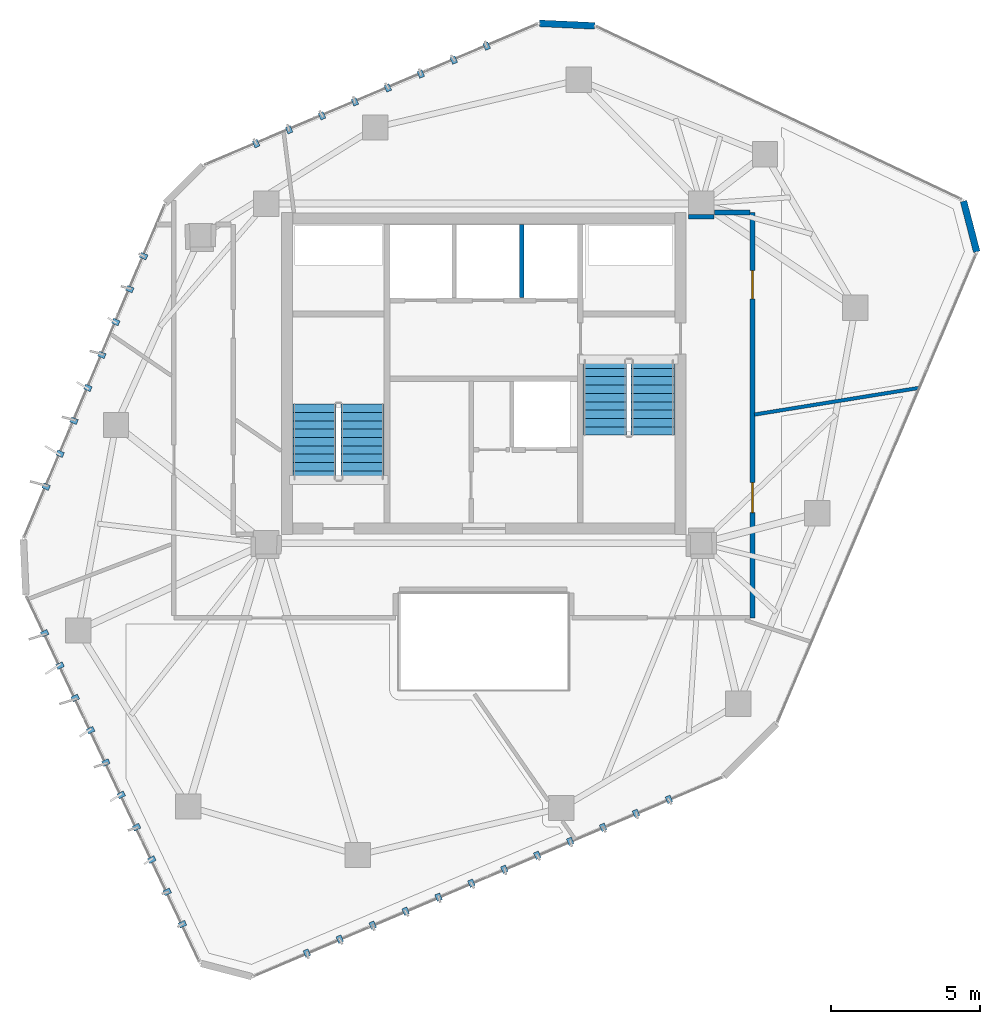
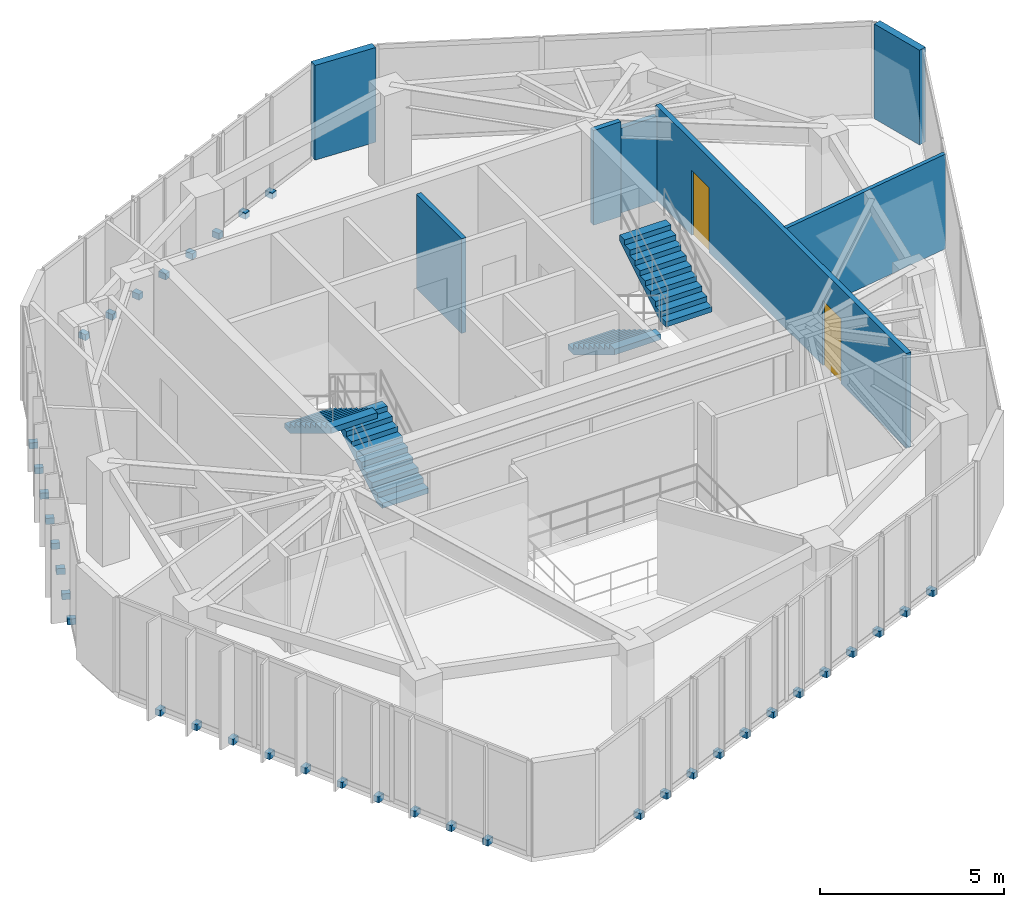
# One storey, part 18 of 20: 38 discrete accessories, 7 walls, 4 stair flights, 2 doors, 2 openings, 2 elements without a shape of their own.
"""IFC4 building model written with IfcOpenShell, lengths in metres."""

from ifc_helpers import new_model, si_unit, direction, frame, frame_2d, origin, origin_2d, place, context, subcontext, project, spatial, polyline, rectangle, outline, extrude, source, transform, mapped, material, layer, layer_set, type_object, type_shapes, element, fill, aggregate, save


model = new_model("IFC4")

# Units and contexts
model_context = context("Model", 3, precision=1e-05, world=origin(), true_north=direction((0.0, 1.0)))
body_context = subcontext(model_context, "Body", "Model", "MODEL_VIEW")
ifc_project = project(units=[si_unit("LENGTHUNIT", "METRE"), si_unit("AREAUNIT", "SQUARE_METRE"), si_unit("VOLUMEUNIT", "CUBIC_METRE"), si_unit("PLANEANGLEUNIT", "RADIAN"), si_unit("MASSUNIT", "GRAM", prefix="KILO")], contexts=[model_context])

# Site, building, storey
site_placement = place(None, origin())
site = spatial("IfcSite", under=ifc_project, at=site_placement, CompositionType="ELEMENT")
building_placement = place(site_placement, origin())
building = spatial("IfcBuilding", under=site, at=building_placement, Name="Talar Marvaseh", CompositionType="ELEMENT")
storey_placement = place(building_placement, frame((0.0, 0.0, 274.800048828125)))
storey = spatial("IfcBuildingStorey", under=building, at=storey_placement, Name="L73", CompositionType="ELEMENT", Elevation=274.800048828125)

# Walls
ifc_material_1 = material(Name="Precast concrete C45/55", Category="concrete")
ifc_layer_1 = layer(ifc_material_1, 0.22509765625)
ifc_layer_set_1 = layer_set([ifc_layer_1], Name="Precast concrete C45/55")
wall_type_1 = type_object("IfcWallType", Name="Chamfered Hexagonal Corner Pier Wall Z4 225", PredefinedType="SOLIDWALL", material=ifc_layer_set_1)
wall_1_placement = place(storey_placement, frame((27.8701171875, 42.948486328125, 0.0), z_axis=(0.0, 0.0, 1.0), x_axis=(0.998952482167, -0.045759571383, 0.0)))
element("IfcWall", 1, at=wall_1_placement, inside=storey, type_object=wall_type_1, Name="L73 Chamfered Corner Limestone Pier 4", PredefinedType="SOLIDWALL", context=body_context, shape_type="SweptSolid", body=[
    extrude(rectangle(XDim=1.856689453125, YDim=0.22509765625, at=frame_2d((0.92822265625, 0.0))), origin(), (0.0, 0.0, 1.0), 3.139892578125),
])
wall_2_placement = place(storey_placement, frame((42.102294921875, 36.98193359375, 0.0), z_axis=(0.0, 0.0, 1.0), x_axis=(0.251641656651, -0.967820477484, 0.0)))
element("IfcWall", 2, at=wall_2_placement, inside=storey, type_object=wall_type_1, Name="L73 Chamfered Corner Limestone Pier 5", PredefinedType="SOLIDWALL", context=body_context, shape_type="SweptSolid", body=[
    extrude(rectangle(XDim=1.758056640625, YDim=0.22509765625, at=frame_2d((0.87890625, 0.0))), origin(), (0.0, 0.0, 1.0), 3.139892578125),
])

# Wall, openings, doors
ifc_material_2 = material(Name="Gypsum Board Partition Assembly")
ifc_layer_2 = layer(ifc_material_2, 0.155029296875)
ifc_layer_set_2 = layer_set([ifc_layer_2], Name="Gypsum Board Partition Assembly")
wall_type_2 = type_object("IfcWallType", Name="Corridor Fire-Rated Acoustic Partition 155", PredefinedType="PARTITIONING", material=ifc_layer_set_2)
wall_3_placement = place(storey_placement, frame((35.02001953125, 36.60009765625, 0.0), z_axis=(0.0, 0.0, 1.0), x_axis=(0.0, -1.0, 0.0)))
wall_3 = element("IfcWall", 3, at=wall_3_placement, inside=storey, type_object=wall_type_2, Name="L73 Interior Partition Wall", PredefinedType="PARTITIONING", context=body_context, shape_type="SweptSolid", body=[
    extrude(rectangle(XDim=13.60009765625, YDim=0.155029296875, at=frame_2d((6.800048828125, 0.0))), origin(), (0.0, 0.0, 1.0), 3.139892578125),
])
opening_1_placement = place(wall_3_placement, frame((9.0673828125, 0.0, 0.0)))
opening_1 = element("IfcOpeningElement", 4, at=opening_1_placement, cuts=wall_3, Name="Opening DR-RM100", PredefinedType="OPENING", context=body_context, shape_type="SweptSolid", body=[
    extrude(rectangle(XDim=1.0, YDim=2.14990234375, at=frame_2d((0.5, 1.074951171875))), frame((0.0, 0.08740234375, 0.0), z_axis=(0.0, -1.0, 0.0), x_axis=(1.0, 0.0, 0.0)), (0.0, 0.0, 1.0), 0.175048828125),
])
opening_2_placement = place(wall_3_placement, frame((1.9501953125, 0.0, 0.0)))
opening_2 = element("IfcOpeningElement", 5, at=opening_2_placement, cuts=wall_3, Name="Opening DR-WC095", PredefinedType="OPENING", context=body_context, shape_type="SweptSolid", body=[
    extrude(rectangle(XDim=0.949951171875, YDim=2.14990234375, at=frame_2d((0.47509765625, 1.074951171875))), frame((0.0, 0.08740234375, 0.0), z_axis=(0.0, -1.0, 0.0), x_axis=(1.0, 0.0, 0.0)), (0.0, 0.0, 1.0), 0.175048828125),
])
ifc_material_3 = material(Name="Acoustic Engineered Oak Timber", Category="wood")
door_type_1 = type_object("IfcDoorType", Name="Washroom and Service Room Door 950x2150", OperationType="NOTDEFINED", PredefinedType="DOOR", material=ifc_material_3)
shared_shape_1 = source(origin(), body_context, "Body", "SweptSolid", [
    extrude(rectangle(XDim=0.949951171875, YDim=2.14990234375, at=frame_2d((0.47509765625, 1.074951171875))), frame((0.0, 0.02490234375, 0.0), z_axis=(0.0, -1.0, 0.0), x_axis=(1.0, 0.0, 0.0)), (0.0, 0.0, 1.0), 0.050048828125),
])
type_shapes(door_type_1, [shared_shape_1])
door_1_placement = place(opening_2_placement, origin())
door_1 = element("IfcDoor", 6, at=door_1_placement, inside=storey, type_object=door_type_1, Name="L73 Scholars' Servery Pantry Door", OperationType="SINGLE_SWING_LEFT", OverallHeight=2.14990234375, OverallWidth=0.949951171875, PredefinedType="DOOR", context=body_context, shape_type="MappedRepresentation", body=[
    mapped(shared_shape_1, transform((0.0, 0.0, 0.0), x_axis=(1.0, 0.0, 0.0), y_axis=(0.0, 1.0, 0.0), z_axis=(0.0, 0.0, 1.0), scale=1.0)),
])
fill(opening_2, door_1)
door_type_2 = type_object("IfcDoorType", Name="Corridor Fire-Rated Gallery Door 1000x2150", OperationType="NOTDEFINED", PredefinedType="DOOR", material=ifc_material_3)
shared_shape_2 = source(origin(), body_context, "Body", "SweptSolid", [
    extrude(rectangle(XDim=1.0, YDim=2.14990234375, at=frame_2d((0.5, 1.074951171875))), frame((0.0, 0.02490234375, 0.0), z_axis=(0.0, -1.0, 0.0), x_axis=(1.0, 0.0, 0.0)), (0.0, 0.0, 1.0), 0.050048828125),
])
type_shapes(door_type_2, [shared_shape_2])
door_2_placement = place(opening_1_placement, origin())
door_2 = element("IfcDoor", 7, at=door_2_placement, inside=storey, type_object=door_type_2, Name="L73 Artisan Craft Showroom Door", OperationType="SINGLE_SWING_RIGHT", OverallHeight=2.14990234375, OverallWidth=1.0, PredefinedType="DOOR", context=body_context, shape_type="MappedRepresentation", body=[
    mapped(shared_shape_2, transform((0.0, 0.0, 0.0), x_axis=(1.0, 0.0, 0.0), y_axis=(0.0, 1.0, 0.0), z_axis=(0.0, 0.0, 1.0), scale=1.0)),
])
fill(opening_1, door_2)

# Walls
wall_4_placement = place(storey_placement, frame((32.8701171875, 36.464599609375, 0.0), z_axis=(0.0, 0.0, 1.0), x_axis=(0.999986873463, -0.005123758532, 0.0)))
element("IfcWall", 8, at=wall_4_placement, inside=storey, type_object=wall_type_2, Name="L73 Interior Partition Wall", PredefinedType="PARTITIONING", context=body_context, shape_type="SweptSolid", body=[
    extrude(rectangle(XDim=0.857666015625, YDim=0.155029296875, at=frame_2d((0.4287109375, 0.0))), origin(), (0.0, 0.0, 1.0), 3.139892578125),
])
wall_5_placement = place(storey_placement, frame((33.739990234375, 36.60009765625, 0.0), z_axis=(0.0, 0.0, 1.0), x_axis=(1.0, 0.0, 0.0)))
element("IfcWall", 9, at=wall_5_placement, inside=storey, type_object=wall_type_2, Name="L73 Interior Partition Wall", PredefinedType="PARTITIONING", context=body_context, shape_type="SweptSolid", body=[
    extrude(rectangle(XDim=1.196533203125, YDim=0.155029296875, at=frame_2d((0.59814453125, 0.0))), origin(), (0.0, 0.0, 1.0), 2.802001953125),
])
ifc_layer_3 = layer(ifc_material_2, 0.1201171875)
ifc_layer_set_3 = layer_set([ifc_layer_3], Name="Gypsum Board Partition Assembly")
wall_type_3 = type_object("IfcWallType", Name="Demountable Studio Room Partition 120", PredefinedType="PARTITIONING", material=ifc_layer_set_3)
wall_6_placement = place(storey_placement, frame((35.084228515625, 29.8203125, 0.0), z_axis=(0.0, 0.0, 1.0), x_axis=(0.987124890634, 0.159951399776, 0.0)))
element("IfcWall", 10, at=wall_6_placement, inside=storey, type_object=wall_type_3, Name="L73 Interior Partition Wall", PredefinedType="PARTITIONING", context=body_context, shape_type="SweptSolid", body=[
    extrude(rectangle(XDim=5.583251953125, YDim=0.1201171875, at=frame_2d((2.79150390625, 0.0))), origin(), (0.0, 0.0, 1.0), 3.139892578125),
])
ifc_layer_4 = layer(ifc_material_1, 0.14501953125)
ifc_layer_set_4 = layer_set([ifc_layer_4], Name="Precast concrete C45/55")
wall_type_4 = type_object("IfcWallType", Name="Fire-Rated Lift Divider Wall 145", PredefinedType="SOLIDWALL", material=ifc_layer_set_4)
wall_7_placement = place(storey_placement, frame((27.280029296875, 33.743408203125, 0.0), z_axis=(0.0, 0.0, 1.0), x_axis=(0.0, 1.0, 0.0)))
element("IfcWall", 11, at=wall_7_placement, inside=storey, type_object=wall_type_4, Name="L73 FFL-2/SVL-1 Divider", PredefinedType="SOLIDWALL", context=body_context, shape_type="SweptSolid", body=[
    extrude(rectangle(XDim=2.45654296875, YDim=0.14501953125, at=frame_2d((1.228271484375, 0.0))), origin(), (0.0, 0.0, 1.0), 3.139892578125),
])

# Stair, stair flights
ifc_material_4 = material(Name="Concrete C40/50", Category="concrete")
stair_type = type_object("IfcStairType", Name="Reinforced Concrete High-Rise Exit Stair Type C", PredefinedType="HALF_TURN_STAIR", material=ifc_material_4)
stair_1_placement = place(storey_placement, origin())
stair_1 = element("IfcStair", 12, at=stair_1_placement, inside=storey, type_object=stair_type, Name="L73 Tower West Core Exit Stair", PredefinedType="HALF_TURN_STAIR")
ifc_layer_5 = layer(ifc_material_4, 0.159912109375)
ifc_layer_set_5 = layer_set([ifc_layer_5], Name="Concrete C40/50")
stair_flight_type = type_object("IfcStairFlightType", Name="Reinforced Concrete Straight Stair Flight 160", PredefinedType="STRAIGHT", material=ifc_layer_set_5)
stair_flight_1_placement = place(storey_placement, frame((21.93505859375, 27.64990234375, 0.0), z_axis=(0.0, 0.0, 1.0), x_axis=(0.0, 1.0, 0.0)))
stair_flight_1 = element("IfcStairFlight", 13, at=stair_flight_1_placement, type_object=stair_flight_type, Name="ST-1 flight 1", NumberOfRisers=10, NumberOfTreads=9, PredefinedType="STRAIGHT", RiserHeight=0.17, TreadLength=0.28, context=body_context, shape_type="SweptSolid", body=[
    extrude(outline(polyline([(0.0, 0.0), (0.0, 0.169921875), (0.280029296875, 0.169921875), (0.280029296875, 0.340087890625), (0.56005859375, 0.340087890625), (0.56005859375, 0.510009765625), (0.840087890625, 0.510009765625), (0.840087890625, 0.679931640625), (1.1201171875, 0.679931640625), (1.1201171875, 0.85009765625), (1.39990234375, 0.85009765625), (1.39990234375, 1.02001953125), (1.679931640625, 1.02001953125), (1.679931640625, 1.18994140625), (1.9599609375, 1.18994140625), (1.9599609375, 1.360107421875), (2.239990234375, 1.360107421875), (2.239990234375, 1.530029296875), (2.52001953125, 1.530029296875), (2.52001953125, 1.699951171875), (2.52001953125, 1.343017578125), (0.30810546875, 0.0), (0.0, 0.0)])), frame((0.0, 0.72509765625, 0.0), z_axis=(0.0, -1.0, 0.0), x_axis=(1.0, 0.0, 0.0)), (0.0, 0.0, 1.0), 1.449951171875),
])
stair_flight_2_placement = place(storey_placement, frame((20.324951171875, 30.169921875, 1.699951171875), z_axis=(0.0, 0.0, 1.0), x_axis=(0.0, -1.0, 0.0)))
stair_flight_2 = element("IfcStairFlight", 14, at=stair_flight_2_placement, type_object=stair_flight_type, Name="ST-1 flight 2", NumberOfRisers=10, NumberOfTreads=9, PredefinedType="STRAIGHT", RiserHeight=0.17, TreadLength=0.28, context=body_context, shape_type="SweptSolid", body=[
    extrude(outline(polyline([(0.0, 0.0), (0.0, 0.169921875), (0.280029296875, 0.169921875), (0.280029296875, 0.340087890625), (0.56005859375, 0.340087890625), (0.56005859375, 0.510009765625), (0.840087890625, 0.510009765625), (0.840087890625, 0.679931640625), (1.1201171875, 0.679931640625), (1.1201171875, 0.85009765625), (1.39990234375, 0.85009765625), (1.39990234375, 1.02001953125), (1.679931640625, 1.02001953125), (1.679931640625, 1.18994140625), (1.9599609375, 1.18994140625), (1.9599609375, 1.360107421875), (2.239990234375, 1.360107421875), (2.239990234375, 1.530029296875), (2.52001953125, 1.530029296875), (2.52001953125, 1.699951171875), (2.52001953125, 1.343017578125), (0.30810546875, 0.0), (0.0, 0.0)])), frame((0.0, 0.72509765625, 0.0), z_axis=(0.0, -1.0, 0.0), x_axis=(1.0, 0.0, 0.0)), (0.0, 0.0, 1.0), 1.449951171875),
])
aggregate(stair_1, [stair_flight_1, stair_flight_2])

stair_2_placement = place(storey_placement, origin())
stair_2 = element("IfcStair", 15, at=stair_2_placement, inside=storey, type_object=stair_type, Name="L73 Tower East Core Exit Stair", PredefinedType="HALF_TURN_STAIR")
stair_flight_3_placement = place(storey_placement, frame((30.06494140625, 31.64990234375, 0.0), z_axis=(0.0, 0.0, 1.0), x_axis=(0.0, -1.0, 0.0)))
stair_flight_3 = element("IfcStairFlight", 16, at=stair_flight_3_placement, type_object=stair_flight_type, Name="ST-2 flight 1", NumberOfRisers=10, NumberOfTreads=9, PredefinedType="STRAIGHT", RiserHeight=0.17, TreadLength=0.28, context=body_context, shape_type="SweptSolid", body=[
    extrude(outline(polyline([(0.0, 0.0), (0.0, 0.169921875), (0.280029296875, 0.169921875), (0.280029296875, 0.340087890625), (0.56005859375, 0.340087890625), (0.56005859375, 0.510009765625), (0.840087890625, 0.510009765625), (0.840087890625, 0.679931640625), (1.1201171875, 0.679931640625), (1.1201171875, 0.85009765625), (1.39990234375, 0.85009765625), (1.39990234375, 1.02001953125), (1.679931640625, 1.02001953125), (1.679931640625, 1.18994140625), (1.9599609375, 1.18994140625), (1.9599609375, 1.360107421875), (2.239990234375, 1.360107421875), (2.239990234375, 1.530029296875), (2.52001953125, 1.530029296875), (2.52001953125, 1.699951171875), (2.52001953125, 1.343017578125), (0.30810546875, 0.0), (0.0, 0.0)])), frame((0.0, 0.72509765625, 0.0), z_axis=(0.0, -1.0, 0.0), x_axis=(1.0, 0.0, 0.0)), (0.0, 0.0, 1.0), 1.449951171875),
])
stair_flight_4_placement = place(storey_placement, frame((31.675048828125, 29.1298828125, 1.699951171875), z_axis=(0.0, 0.0, 1.0), x_axis=(0.0, 1.0, 0.0)))
stair_flight_4 = element("IfcStairFlight", 17, at=stair_flight_4_placement, type_object=stair_flight_type, Name="ST-2 flight 2", NumberOfRisers=10, NumberOfTreads=9, PredefinedType="STRAIGHT", RiserHeight=0.17, TreadLength=0.28, context=body_context, shape_type="SweptSolid", body=[
    extrude(outline(polyline([(0.0, 0.0), (0.0, 0.169921875), (0.280029296875, 0.169921875), (0.280029296875, 0.340087890625), (0.56005859375, 0.340087890625), (0.56005859375, 0.510009765625), (0.840087890625, 0.510009765625), (0.840087890625, 0.679931640625), (1.1201171875, 0.679931640625), (1.1201171875, 0.85009765625), (1.39990234375, 0.85009765625), (1.39990234375, 1.02001953125), (1.679931640625, 1.02001953125), (1.679931640625, 1.18994140625), (1.9599609375, 1.18994140625), (1.9599609375, 1.360107421875), (2.239990234375, 1.360107421875), (2.239990234375, 1.530029296875), (2.52001953125, 1.530029296875), (2.52001953125, 1.699951171875), (2.52001953125, 1.343017578125), (0.30810546875, 0.0), (0.0, 0.0)])), frame((0.0, 0.72509765625, 0.0), z_axis=(0.0, -1.0, 0.0), x_axis=(1.0, 0.0, 0.0)), (0.0, 0.0, 1.0), 1.449951171875),
])
aggregate(stair_2, [stair_flight_3, stair_flight_4])

# Discrete accessories
ifc_material_5 = material(Name="Stainless Steel Grade 316", Category="steel")
discrete_accessory_type = type_object("IfcDiscreteAccessoryType", Name="Stainless Slab-Edge Fin Mounting Bracket", PredefinedType="BRACKET", material=ifc_material_5)
shared_shape_3 = source(origin(), body_context, "Body", "SweptSolid", [
    extrude(rectangle(XDim=0.239990234375, YDim=0.179931640625, at=origin_2d()), origin(), (0.0, 0.0, 1.0), 0.199951171875),
])
type_shapes(discrete_accessory_type, [shared_shape_3])
for number, where, z_axis, x_axis, name in (
    (18, (15.890380859375, 12.719482421875, -0.18017578125), (0.0, 0.0, 1.0), (-0.903709265369, -0.428146661421, 0.0), "L73 Vertical Fin Slab-Edge Bracket"),
    (19, (15.376708984375, 13.803955078125, -0.18017578125), (0.0, 0.0, 1.0), (-0.903709265369, -0.428146661421, 0.0), "L73 Vertical Fin Slab-Edge Bracket"),
    (20, (14.86279296875, 14.888427734375, -0.18017578125), (0.0, 0.0, 1.0), (-0.903709265369, -0.428146661421, 0.0), "L73 Vertical Fin Slab-Edge Bracket"),
    (21, (14.34912109375, 15.972900390625, -0.18017578125), (0.0, 0.0, 1.0), (-0.903709265369, -0.428146661421, 0.0), "L73 Vertical Fin Slab-Edge Bracket"),
    (22, (13.83544921875, 17.057373046875, -0.18017578125), (0.0, 0.0, 1.0), (-0.903709265369, -0.428146661421, 0.0), "L73 Vertical Fin Slab-Edge Bracket"),
    (23, (13.32177734375, 18.141845703125, -0.18017578125), (0.0, 0.0, 1.0), (-0.903709265369, -0.428146661421, 0.0), "L73 Vertical Fin Slab-Edge Bracket"),
    (24, (12.80810546875, 19.226318359375, -0.18017578125), (0.0, 0.0, 1.0), (-0.903709265369, -0.428146661421, 0.0), "L73 Vertical Fin Slab-Edge Bracket"),
    (25, (12.294189453125, 20.310791015625, -0.18017578125), (0.0, 0.0, 1.0), (-0.903709265369, -0.428146661421, 0.0), "L73 Vertical Fin Slab-Edge Bracket"),
    (26, (11.780517578125, 21.3955078125, -0.18017578125), (0.0, 0.0, 1.0), (-0.903709265369, -0.428146661421, 0.0), "L73 Vertical Fin Slab-Edge Bracket"),
    (27, (11.266845703125, 22.47998046875, -0.18017578125), (0.0, 0.0, 1.0), (-0.903709265369, -0.428146661421, 0.0), "L73 Vertical Fin Slab-Edge Bracket"),
    (28, (11.31591796875, 27.400634765625, -0.18017578125), (0.0, 0.0, 1.0), (-0.920981534477, 0.389606228328, 0.0), "L73 Vertical Fin Slab-Edge Bracket"),
    (29, (11.783447265625, 28.505859375, -0.18017578125), (0.0, 0.0, 1.0), (-0.920981534477, 0.389606228328, 0.0), "L73 Vertical Fin Slab-Edge Bracket"),
    (30, (12.251220703125, 29.611083984375, -0.18017578125), (0.0, 0.0, 1.0), (-0.920981534477, 0.389606228328, 0.0), "L73 Vertical Fin Slab-Edge Bracket"),
    (31, (12.718505859375, 30.71630859375, -0.18017578125), (0.0, 0.0, 1.0), (-0.920981534477, 0.389606228328, 0.0), "L73 Vertical Fin Slab-Edge Bracket"),
    (32, (13.186279296875, 31.8212890625, -0.18017578125), (0.0, 0.0, 1.0), (-0.920981534477, 0.389606228328, 0.0), "L73 Vertical Fin Slab-Edge Bracket"),
    (33, (13.65380859375, 32.926513671875, -0.18017578125), (0.0, 0.0, 1.0), (-0.920981534477, 0.389606228328, 0.0), "L73 Vertical Fin Slab-Edge Bracket"),
    (34, (14.121337890625, 34.031494140625, -0.18017578125), (0.0, 0.0, 1.0), (-0.920981534477, 0.389606228328, 0.0), "L73 Vertical Fin Slab-Edge Bracket"),
    (35, (14.5888671875, 35.13671875, -0.18017578125), (0.0, 0.0, 1.0), (-0.920981534477, 0.389606228328, 0.0), "L73 Vertical Fin Slab-Edge Bracket"),
    (36, (18.36328125, 38.9111328125, -0.18017578125), (0.0, 0.0, 1.0), (-0.389606228328, 0.920981534477, 0.0), "L73 Vertical Fin Slab-Edge Bracket"),
    (37, (19.468505859375, 39.378662109375, -0.18017578125), (0.0, 0.0, 1.0), (-0.389606228328, 0.920981534477, 0.0), "L73 Vertical Fin Slab-Edge Bracket"),
    (38, (20.573486328125, 39.84619140625, -0.18017578125), (0.0, 0.0, 1.0), (-0.389606228328, 0.920981534477, 0.0), "L73 Vertical Fin Slab-Edge Bracket"),
    (39, (21.6787109375, 40.313720703125, -0.18017578125), (0.0, 0.0, 1.0), (-0.389606228328, 0.920981534477, 0.0), "L73 Vertical Fin Slab-Edge Bracket"),
    (40, (22.78369140625, 40.781494140625, -0.18017578125), (0.0, 0.0, 1.0), (-0.389606228328, 0.920981534477, 0.0), "L73 Vertical Fin Slab-Edge Bracket"),
    (41, (23.888916015625, 41.248779296875, -0.18017578125), (0.0, 0.0, 1.0), (-0.389606228328, 0.920981534477, 0.0), "L73 Vertical Fin Slab-Edge Bracket"),
    (42, (24.994140625, 41.716552734375, -0.18017578125), (0.0, 0.0, 1.0), (-0.389606228328, 0.920981534477, 0.0), "L73 Vertical Fin Slab-Edge Bracket"),
    (43, (26.099365234375, 42.18408203125, -0.18017578125), (0.0, 0.0, 1.0), (-0.389606228328, 0.920981534477, 0.0), "L73 Vertical Fin Slab-Edge Bracket"),
    (44, (32.2158203125, 16.906982421875, -0.18017578125), (0.0, 0.0, 1.0), (0.390891780942, -0.920436643986, 0.0), "L73 Vertical Fin Slab-Edge Bracket"),
    (45, (31.111083984375, 16.43798828125, -0.18017578125), (0.0, 0.0, 1.0), (0.390891780942, -0.920436643986, 0.0), "L73 Vertical Fin Slab-Edge Bracket"),
    (46, (30.006591796875, 15.968994140625, -0.18017578125), (0.0, 0.0, 1.0), (0.390891780942, -0.920436643986, 0.0), "L73 Vertical Fin Slab-Edge Bracket"),
    (47, (28.902099609375, 15.5, -0.18017578125), (0.0, 0.0, 1.0), (0.390891780942, -0.920436643986, 0.0), "L73 Vertical Fin Slab-Edge Bracket"),
    (48, (27.797607421875, 15.031005859375, -0.18017578125), (0.0, 0.0, 1.0), (0.390891780942, -0.920436643986, 0.0), "L73 Vertical Fin Slab-Edge Bracket"),
    (49, (26.693115234375, 14.56201171875, -0.18017578125), (0.0, 0.0, 1.0), (0.390891780942, -0.920436643986, 0.0), "L73 Vertical Fin Slab-Edge Bracket"),
    (50, (25.58837890625, 14.0927734375, -0.18017578125), (0.0, 0.0, 1.0), (0.390891780942, -0.920436643986, 0.0), "L73 Vertical Fin Slab-Edge Bracket"),
    (51, (24.48388671875, 13.623779296875, -0.18017578125), (0.0, 0.0, 1.0), (0.390891780942, -0.920436643986, 0.0), "L73 Vertical Fin Slab-Edge Bracket"),
    (52, (23.37939453125, 13.15478515625, -0.18017578125), (0.0, 0.0, 1.0), (0.390891780942, -0.920436643986, 0.0), "L73 Vertical Fin Slab-Edge Bracket"),
    (53, (22.27490234375, 12.685791015625, -0.18017578125), (0.0, 0.0, 1.0), (0.390891780942, -0.920436643986, 0.0), "L73 Vertical Fin Slab-Edge Bracket"),
    (54, (21.17041015625, 12.216552734375, -0.18017578125), (0.0, 0.0, 1.0), (0.390891780942, -0.920436643986, 0.0), "L73 Vertical Fin Slab-Edge Bracket"),
    (55, (20.06591796875, 11.74755859375, -0.18017578125), (0.0, 0.0, 1.0), (0.390891780942, -0.920436643986, 0.0), "L73 Vertical Fin Slab-Edge Bracket"),
):
    element("IfcDiscreteAccessory", number, at=place(storey_placement, frame(where, z_axis=z_axis, x_axis=x_axis)), inside=storey, type_object=discrete_accessory_type, Name=name, PredefinedType="BRACKET", context=body_context, shape_type="MappedRepresentation", body=[
        mapped(shared_shape_3, transform((0.0, 0.0, 0.0), x_axis=(1.0, 0.0, 0.0), y_axis=(0.0, 1.0, 0.0), z_axis=(0.0, 0.0, 1.0), scale=1.0)),
    ])

save(model, "model.ifc")
